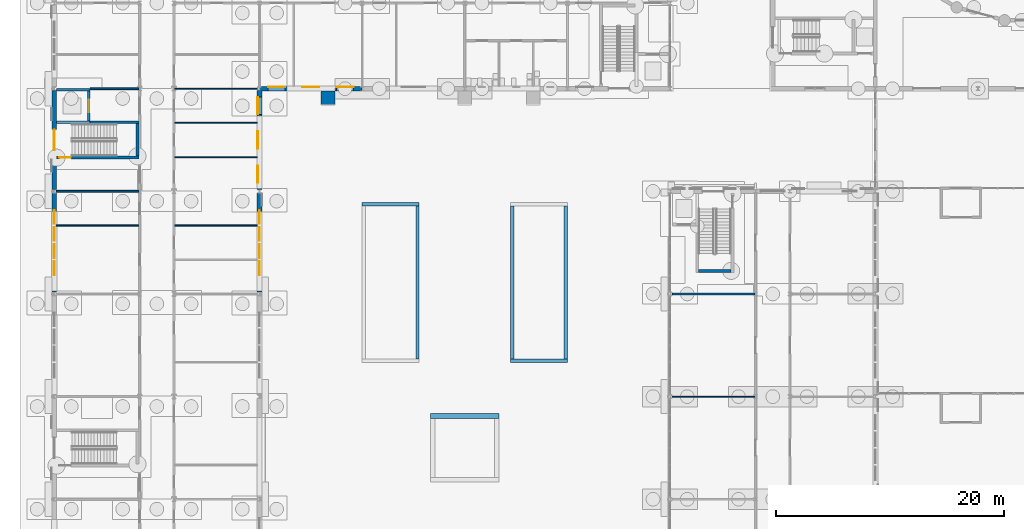
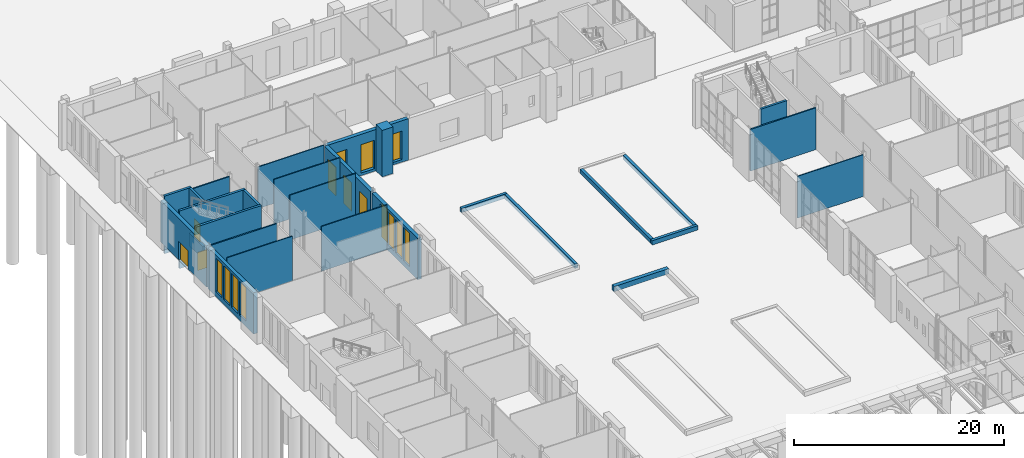
# One storey, part 92 of 168: 30 walls, 14 windows, 3 doors, 17 openings.
"""IFC4 building model written with IfcOpenShell, lengths in metres."""

from ifc_helpers import new_model, si_unit, direction, frame, frame_2d, origin, place, context, subcontext, project, spatial, rectangle, extrude, material, layer, layer_set, type_object, element, fill, save


model = new_model("IFC4")

# Units and contexts
model_context = context("Model", 3, precision=1e-05, world=origin(), true_north=direction((0.0, 1.0)))
body_context = subcontext(model_context, "Body", "Model", "MODEL_VIEW")
ifc_project = project(units=[si_unit("LENGTHUNIT", "METRE"), si_unit("AREAUNIT", "SQUARE_METRE"), si_unit("VOLUMEUNIT", "CUBIC_METRE"), si_unit("PLANEANGLEUNIT", "RADIAN"), si_unit("MASSUNIT", "GRAM", prefix="KILO")], contexts=[model_context])

# Site, building, storey
site_placement = place(None, origin())
site = spatial("IfcSite", under=ifc_project, at=site_placement, CompositionType="ELEMENT")
building_placement = place(site_placement, origin())
building = spatial("IfcBuilding", under=site, at=building_placement, Name="Golden Quay Civic Hall", CompositionType="ELEMENT")
storey_placement = place(building_placement, origin())
storey = spatial("IfcBuildingStorey", under=building, at=storey_placement, Name="L00", CompositionType="ELEMENT", Elevation=0.0)

# Wall, openings, windows
ifc_material_1 = material(Name="Brick, dark clay facing", Category="masonry")
ifc_layer_1 = layer(ifc_material_1, 0.39990234375)
ifc_layer_set_1 = layer_set([ifc_layer_1], Name="Brick external wall 400")
wall_type_1 = type_object("IfcWallType", Name="Brick external wall 400", PredefinedType="STANDARD", material=ifc_layer_set_1)
wall_1_placement = place(storey_placement, frame((18.0, 62.85009765625, 0.0), z_axis=(0.0, 0.0, 1.0), x_axis=(0.0, -1.0, 0.0)))
wall_1 = element("IfcWall", 1, at=wall_1_placement, inside=storey, type_object=wall_type_1, Name="Brick external wall 400 L00 1", PredefinedType="STANDARD", context=body_context, shape_type="SweptSolid", body=[
    extrude(rectangle(XDim=8.7001953125, YDim=0.39990234375, at=frame_2d((4.35009765625, 0.0))), origin(), (0.0, 0.0, 1.0), 4.800048828125),
])
opening_1_placement = place(wall_1_placement, frame((6.60009765625, 0.0, 0.300048828125)))
opening_1 = element("IfcOpeningElement", 2, at=opening_1_placement, cuts=wall_1, Name="Opening WN4", PredefinedType="OPENING", context=body_context, shape_type="SweptSolid", body=[
    extrude(rectangle(XDim=1.5, YDim=3.300048828125, at=frame_2d((0.75, 1.64990234375))), frame((0.0, 0.2099609375, 0.0), z_axis=(0.0, -1.0, 0.0), x_axis=(1.0, 0.0, 0.0)), (0.0, 0.0, 1.0), 0.419921875),
])
opening_2_placement = place(wall_1_placement, frame((3.60009765625, 0.0, 0.300048828125)))
opening_2 = element("IfcOpeningElement", 3, at=opening_2_placement, cuts=wall_1, Name="Opening WN4", PredefinedType="OPENING", context=body_context, shape_type="SweptSolid", body=[
    extrude(rectangle(XDim=1.5, YDim=3.300048828125, at=frame_2d((0.75, 1.64990234375))), frame((0.0, 0.2099609375, 0.0), z_axis=(0.0, -1.0, 0.0), x_axis=(1.0, 0.0, 0.0)), (0.0, 0.0, 1.0), 0.419921875),
])
opening_3_placement = place(wall_1_placement, frame((0.60009765625, 0.0, 0.300048828125)))
opening_3 = element("IfcOpeningElement", 4, at=opening_3_placement, cuts=wall_1, Name="Opening WN4", PredefinedType="OPENING", context=body_context, shape_type="SweptSolid", body=[
    extrude(rectangle(XDim=1.5, YDim=3.300048828125, at=frame_2d((0.75, 1.64990234375))), frame((0.0, 0.2099609375, 0.0), z_axis=(0.0, -1.0, 0.0), x_axis=(1.0, 0.0, 0.0)), (0.0, 0.0, 1.0), 0.419921875),
])
ifc_material_2 = material(Name="Aluminium frame, double glazed", Category="aluminium")
window_type_1 = type_object("IfcWindowType", Name="Tall ground-floor window 1500 x 3300", PartitioningType="SINGLE_PANEL", PredefinedType="WINDOW", material=ifc_material_2)
window_1_placement = place(opening_1_placement, origin())
window_1 = element("IfcWindow", 5, at=window_1_placement, inside=storey, type_object=window_type_1, Name="Tall ground-floor window 1500 x 3300 L00 1", OverallHeight=3.300048828125, OverallWidth=1.5, PartitioningType="SINGLE_PANEL", PredefinedType="WINDOW", context=body_context, shape_type="SweptSolid", body=[
    extrude(rectangle(XDim=1.5, YDim=3.300048828125, at=frame_2d((0.75, 1.64990234375))), frame((0.0, -0.119873046875, 0.0), z_axis=(0.0, -1.0, 0.0), x_axis=(1.0, 0.0, 0.0)), (0.0, 0.0, 1.0), 0.06005859375),
])
fill(opening_1, window_1)
window_2_placement = place(opening_2_placement, origin())
window_2 = element("IfcWindow", 6, at=window_2_placement, inside=storey, type_object=window_type_1, Name="Tall ground-floor window 1500 x 3300 L00 2", OverallHeight=3.300048828125, OverallWidth=1.5, PartitioningType="SINGLE_PANEL", PredefinedType="WINDOW", context=body_context, shape_type="SweptSolid", body=[
    extrude(rectangle(XDim=1.5, YDim=3.300048828125, at=frame_2d((0.75, 1.64990234375))), frame((0.0, -0.119873046875, 0.0), z_axis=(0.0, -1.0, 0.0), x_axis=(1.0, 0.0, 0.0)), (0.0, 0.0, 1.0), 0.06005859375),
])
fill(opening_2, window_2)
window_3_placement = place(opening_3_placement, origin())
window_3 = element("IfcWindow", 7, at=window_3_placement, inside=storey, type_object=window_type_1, Name="Tall ground-floor window 1500 x 3300 L00 3", OverallHeight=3.300048828125, OverallWidth=1.5, PartitioningType="SINGLE_PANEL", PredefinedType="WINDOW", context=body_context, shape_type="SweptSolid", body=[
    extrude(rectangle(XDim=1.5, YDim=3.300048828125, at=frame_2d((0.75, 1.64990234375))), frame((0.0, -0.119873046875, 0.0), z_axis=(0.0, -1.0, 0.0), x_axis=(1.0, 0.0, 0.0)), (0.0, 0.0, 1.0), 0.06005859375),
])
fill(opening_3, window_3)

wall_2_placement = place(storey_placement, frame((26.989501953125, 63.0, 0.0), z_axis=(0.0, 0.0, 1.0), x_axis=(-1.0, 0.0, 0.0)))
wall_2 = element("IfcWall", 8, at=wall_2_placement, inside=storey, type_object=wall_type_1, Name="Brick external wall 400 L00 8", PredefinedType="STANDARD", context=body_context, shape_type="SweptSolid", body=[
    extrude(rectangle(XDim=8.97900390625, YDim=0.39990234375, at=frame_2d((4.489501953125, 0.0))), origin(), (0.0, 0.0, 1.0), 4.800048828125),
])
opening_4_placement = place(wall_2_placement, frame((6.739501953125, 0.0, 0.300048828125)))
opening_4 = element("IfcOpeningElement", 9, at=opening_4_placement, cuts=wall_2, Name="Opening WN4", PredefinedType="OPENING", context=body_context, shape_type="SweptSolid", body=[
    extrude(rectangle(XDim=1.5, YDim=3.300048828125, at=frame_2d((0.75, 1.64990234375))), frame((0.0, 0.2099609375, 0.0), z_axis=(0.0, -1.0, 0.0), x_axis=(1.0, 0.0, 0.0)), (0.0, 0.0, 1.0), 0.419921875),
])
opening_5_placement = place(wall_2_placement, frame((3.739501953125, 0.0, 0.300048828125)))
opening_5 = element("IfcOpeningElement", 10, at=opening_5_placement, cuts=wall_2, Name="Opening WN4", PredefinedType="OPENING", context=body_context, shape_type="SweptSolid", body=[
    extrude(rectangle(XDim=1.5, YDim=3.300048828125, at=frame_2d((0.75, 1.64990234375))), frame((0.0, 0.2099609375, 0.0), z_axis=(0.0, -1.0, 0.0), x_axis=(1.0, 0.0, 0.0)), (0.0, 0.0, 1.0), 0.419921875),
])
opening_6_placement = place(wall_2_placement, frame((0.739501953125, 0.0, 0.300048828125)))
opening_6 = element("IfcOpeningElement", 11, at=opening_6_placement, cuts=wall_2, Name="Opening WN4", PredefinedType="OPENING", context=body_context, shape_type="SweptSolid", body=[
    extrude(rectangle(XDim=1.5, YDim=3.300048828125, at=frame_2d((0.75, 1.64990234375))), frame((0.0, 0.2099609375, 0.0), z_axis=(0.0, -1.0, 0.0), x_axis=(1.0, 0.0, 0.0)), (0.0, 0.0, 1.0), 0.419921875),
])
window_4_placement = place(opening_4_placement, origin())
window_4 = element("IfcWindow", 12, at=window_4_placement, inside=storey, type_object=window_type_1, Name="Tall ground-floor window 1500 x 3300 L00 15", OverallHeight=3.300048828125, OverallWidth=1.5, PartitioningType="SINGLE_PANEL", PredefinedType="WINDOW", context=body_context, shape_type="SweptSolid", body=[
    extrude(rectangle(XDim=1.5, YDim=3.300048828125, at=frame_2d((0.75, 1.64990234375))), frame((0.0, -0.119873046875, 0.0), z_axis=(0.0, -1.0, 0.0), x_axis=(1.0, 0.0, 0.0)), (0.0, 0.0, 1.0), 0.06005859375),
])
fill(opening_4, window_4)
window_5_placement = place(opening_5_placement, origin())
window_5 = element("IfcWindow", 13, at=window_5_placement, inside=storey, type_object=window_type_1, Name="Tall ground-floor window 1500 x 3300 L00 16", OverallHeight=3.300048828125, OverallWidth=1.5, PartitioningType="SINGLE_PANEL", PredefinedType="WINDOW", context=body_context, shape_type="SweptSolid", body=[
    extrude(rectangle(XDim=1.5, YDim=3.300048828125, at=frame_2d((0.75, 1.64990234375))), frame((0.0, -0.119873046875, 0.0), z_axis=(0.0, -1.0, 0.0), x_axis=(1.0, 0.0, 0.0)), (0.0, 0.0, 1.0), 0.06005859375),
])
fill(opening_5, window_5)
window_6_placement = place(opening_6_placement, origin())
window_6 = element("IfcWindow", 14, at=window_6_placement, inside=storey, type_object=window_type_1, Name="Tall ground-floor window 1500 x 3300 L00 17", OverallHeight=3.300048828125, OverallWidth=1.5, PartitioningType="SINGLE_PANEL", PredefinedType="WINDOW", context=body_context, shape_type="SweptSolid", body=[
    extrude(rectangle(XDim=1.5, YDim=3.300048828125, at=frame_2d((0.75, 1.64990234375))), frame((0.0, -0.119873046875, 0.0), z_axis=(0.0, -1.0, 0.0), x_axis=(1.0, 0.0, 0.0)), (0.0, 0.0, 1.0), 0.06005859375),
])
fill(opening_6, window_6)

# Walls
ifc_material_3 = material(Name="Brick, dark clay facing", Category="masonry")
ifc_layer_2 = layer(ifc_material_3, 1.199951171875)
ifc_layer_set_2 = layer_set([ifc_layer_2], Name="Brick pilaster 1200 x 1200")
wall_type_2 = type_object("IfcWallType", Name="Brick pilaster 1200 x 1200", PredefinedType="STANDARD", material=ifc_layer_set_2)
wall_3_placement = place(storey_placement, frame((23.39990234375, 62.199951171875, 0.0), z_axis=(0.0, 0.0, 1.0), x_axis=(1.0, 0.0, 0.0)))
element("IfcWall", 15, at=wall_3_placement, inside=storey, type_object=wall_type_2, Name="Brick pilaster 1200 x 1200 L00 6", PredefinedType="STANDARD", context=body_context, shape_type="SweptSolid", body=[
    extrude(rectangle(XDim=1.2001953125, YDim=1.199951171875, at=frame_2d((0.60009765625, 0.0))), origin(), (0.0, 0.0, 1.0), 5.39990234375),
])
ifc_material_4 = material(Name="Brick, dark clay facing", Category="masonry")
ifc_layer_3 = layer(ifc_material_4, 0.300048828125)
ifc_layer_set_3 = layer_set([ifc_layer_3], Name="Brick planter wall 300")
wall_type_3 = type_object("IfcWallType", Name="Brick planter wall 300", PredefinedType="STANDARD", material=ifc_layer_set_3)
wall_4_placement = place(storey_placement, frame((27.0, 52.85009765625, 0.0), z_axis=(0.0, 0.0, 1.0), x_axis=(1.0, 0.0, 0.0)))
element("IfcWall", 16, at=wall_4_placement, inside=storey, type_object=wall_type_3, Name="Court planter West Court 2", PredefinedType="STANDARD", context=body_context, shape_type="SweptSolid", body=[
    extrude(rectangle(XDim=5.0, YDim=0.300048828125, at=frame_2d((2.5, 0.0))), origin(), (0.0, 0.0, 1.0), 0.5),
])
wall_5_placement = place(storey_placement, frame((31.85009765625, 39.300048828125, 0.0), z_axis=(0.0, 0.0, 1.0), x_axis=(0.0, 1.0, 0.0)))
element("IfcWall", 17, at=wall_5_placement, inside=storey, type_object=wall_type_3, Name="Court planter West Court 2", PredefinedType="STANDARD", context=body_context, shape_type="SweptSolid", body=[
    extrude(rectangle(XDim=13.39990234375, YDim=0.300048828125, at=frame_2d((6.699951171875, 0.0))), origin(), (0.0, 0.0, 1.0), 0.5),
])
wall_6_placement = place(storey_placement, frame((40.0, 39.14990234375, 0.0), z_axis=(0.0, 0.0, 1.0), x_axis=(1.0, 0.0, 0.0)))
element("IfcWall", 18, at=wall_6_placement, inside=storey, type_object=wall_type_3, Name="Court planter West Court 4", PredefinedType="STANDARD", context=body_context, shape_type="SweptSolid", body=[
    extrude(rectangle(XDim=5.0, YDim=0.300048828125, at=frame_2d((2.5, 0.0))), origin(), (0.0, 0.0, 1.0), 0.5),
])
for number, where, z_axis, x_axis, name in (
    (19, (40.14990234375, 39.300048828125, 0.0), (0.0, 0.0, 1.0), (0.0, 1.0, 0.0), "Court planter West Court 4"),
    (20, (44.85009765625, 39.300048828125, 0.0), (0.0, 0.0, 1.0), (0.0, 1.0, 0.0), "Court planter West Court 4"),
):
    element("IfcWall", number, at=place(storey_placement, frame(where, z_axis=z_axis, x_axis=x_axis)), inside=storey, type_object=wall_type_3, Name=name, PredefinedType="STANDARD", context=body_context, shape_type="SweptSolid", body=[
        extrude(rectangle(XDim=13.39990234375, YDim=0.300048828125, at=frame_2d((6.699951171875, 0.0))), origin(), (0.0, 0.0, 1.0), 0.5),
    ])

# Wall, opening, door
ifc_material_5 = material(Name="Concrete C40/50", Category="concrete")
ifc_layer_4 = layer(ifc_material_5, 0.25)
ifc_layer_set_4 = layer_set([ifc_layer_4], Name="Concrete core wall 250, Concrete C40/50")
wall_type_4 = type_object("IfcWallType", Name="Concrete core wall 250", PredefinedType="SHEAR", material=ifc_layer_set_4)
wall_7_placement = place(storey_placement, frame((0.199951171875, 56.949951171875, 0.0), z_axis=(0.0, 0.0, 1.0), x_axis=(1.0, 0.0, 0.0)))
wall_7 = element("IfcWall", 21, at=wall_7_placement, inside=storey, type_object=wall_type_4, Name="Core wall WO-N-W1", PredefinedType="SHEAR", context=body_context, shape_type="SweptSolid", body=[
    extrude(rectangle(XDim=7.22509765625, YDim=0.25, at=frame_2d((3.612548828125, 0.0))), origin(), (0.0, 0.0, 1.0), 5.199951171875),
])
opening_7_placement = place(wall_7_placement, frame((0.25, 0.0, 0.0)))
opening_7 = element("IfcOpeningElement", 22, at=opening_7_placement, cuts=wall_7, Name="Opening L00-D075", PredefinedType="OPENING", context=body_context, shape_type="SweptSolid", body=[
    extrude(rectangle(XDim=1.0, YDim=2.10009765625, at=frame_2d((0.5, 1.050048828125))), frame((0.0, 0.135009765625, 0.0), z_axis=(0.0, -1.0, 0.0), x_axis=(1.0, 0.0, 0.0)), (0.0, 0.0, 1.0), 0.27001953125),
])
ifc_material_6 = material(Name="Steel", Category="steel")
door_type_1 = type_object("IfcDoorType", Name="Steel fire door FD60 1000 x 2100", OperationType="SINGLE_SWING_LEFT", PredefinedType="DOOR", material=ifc_material_6)
door_1_placement = place(opening_7_placement, origin())
door_1 = element("IfcDoor", 23, at=door_1_placement, inside=storey, type_object=door_type_1, Name="Door L00-D075", OperationType="SINGLE_SWING_LEFT", OverallHeight=2.10009765625, OverallWidth=1.0, PredefinedType="DOOR", context=body_context, shape_type="SweptSolid", body=[
    extrude(rectangle(XDim=1.0, YDim=2.10009765625, at=frame_2d((0.5, 1.050048828125))), frame((0.0, 0.02490234375, 0.0), z_axis=(0.0, -1.0, 0.0), x_axis=(1.0, 0.0, 0.0)), (0.0, 0.0, 1.0), 0.050048828125),
])
fill(opening_7, door_1)

# Walls
wall_8_placement = place(storey_placement, frame((0.199951171875, 60.050048828125, 0.0), z_axis=(0.0, 0.0, 1.0), x_axis=(1.0, 0.0, 0.0)))
element("IfcWall", 24, at=wall_8_placement, inside=storey, type_object=wall_type_4, Name="Core wall WO-N-W2", PredefinedType="SHEAR", context=body_context, shape_type="SweptSolid", body=[
    extrude(rectangle(XDim=7.22509765625, YDim=0.25, at=frame_2d((3.612548828125, 0.0))), origin(), (0.0, 0.0, 1.0), 5.199951171875),
])
wall_9_placement = place(storey_placement, frame((7.300048828125, 57.074951171875, 0.0), z_axis=(0.0, 0.0, 1.0), x_axis=(0.0, 1.0, 0.0)))
element("IfcWall", 25, at=wall_9_placement, inside=storey, type_object=wall_type_4, Name="Core wall WO-N-W3", PredefinedType="SHEAR", context=body_context, shape_type="SweptSolid", body=[
    extrude(rectangle(XDim=2.85009765625, YDim=0.25, at=frame_2d((1.425048828125, 0.0))), origin(), (0.0, 0.0, 1.0), 5.199951171875),
])

# Wall, opening, door
wall_10_placement = place(storey_placement, frame((3.02490234375, 60.175048828125, 0.0), z_axis=(0.0, 0.0, 1.0), x_axis=(0.0, 1.0, 0.0)))
wall_10 = element("IfcWall", 26, at=wall_10_placement, inside=storey, type_object=wall_type_4, Name="Core wall WO-N-W4", PredefinedType="SHEAR", context=body_context, shape_type="SweptSolid", body=[
    extrude(rectangle(XDim=2.599853515625, YDim=0.25, at=frame_2d((1.2998046875, 0.0))), origin(), (0.0, 0.0, 1.0), 5.199951171875),
])
opening_8_placement = place(wall_10_placement, frame((0.75, 0.0, 0.0)))
opening_8 = element("IfcOpeningElement", 27, at=opening_8_placement, cuts=wall_10, Name="Opening L00-D090", PredefinedType="OPENING", context=body_context, shape_type="SweptSolid", body=[
    extrude(rectangle(XDim=1.10009765625, YDim=2.10009765625, at=frame_2d((0.550048828125, 1.050048828125))), frame((0.0, 0.135009765625, 0.0), z_axis=(0.0, -1.0, 0.0), x_axis=(1.0, 0.0, 0.0)), (0.0, 0.0, 1.0), 0.27001953125),
])
ifc_material_7 = material(Name="Steel", Category="steel")
door_type_2 = type_object("IfcDoorType", Name="Lift landing door 1100 x 2100", OperationType="SLIDING_TO_LEFT", PredefinedType="DOOR", material=ifc_material_7)
door_2_placement = place(opening_8_placement, origin())
door_2 = element("IfcDoor", 28, at=door_2_placement, inside=storey, type_object=door_type_2, Name="Lift landing door L00-D090 WO-N", OperationType="SLIDING_TO_LEFT", OverallHeight=2.10009765625, OverallWidth=1.10009765625, PredefinedType="DOOR", context=body_context, shape_type="SweptSolid", body=[
    extrude(rectangle(XDim=1.10009765625, YDim=2.10009765625, at=frame_2d((0.550048828125, 1.050048828125))), frame((0.0, 0.02490234375, 0.0), z_axis=(0.0, -1.0, 0.0), x_axis=(1.0, 0.0, 0.0)), (0.0, 0.0, 1.0), 0.050048828125),
])
fill(opening_8, door_2)

# Walls
wall_11_placement = place(storey_placement, frame((0.199951171875, 62.89990234375, 0.0), z_axis=(0.0, 0.0, 1.0), x_axis=(1.0, 0.0, 0.0)))
element("IfcWall", 29, at=wall_11_placement, inside=storey, type_object=wall_type_4, Name="Core wall WO-N-W5", PredefinedType="SHEAR", context=body_context, shape_type="SweptSolid", body=[
    extrude(rectangle(XDim=2.949951171875, YDim=0.25, at=frame_2d((1.47509765625, 0.0))), origin(), (0.0, 0.0, 1.0), 5.199951171875),
])
wall_12_placement = place(storey_placement, frame((0.199951171875, 60.050048828125, -1.5), z_axis=(0.0, 0.0, 1.0), x_axis=(1.0, 0.0, 0.0)))
element("IfcWall", 30, at=wall_12_placement, inside=storey, type_object=wall_type_4, Name="Lift pit wall P1", PredefinedType="SHEAR", context=body_context, shape_type="SweptSolid", body=[
    extrude(rectangle(XDim=2.949951171875, YDim=0.25, at=frame_2d((1.47509765625, 0.0))), origin(), (0.0, 0.0, 1.0), 1.5),
])
wall_13_placement = place(storey_placement, frame((3.02490234375, 60.175048828125, -1.5), z_axis=(0.0, 0.0, 1.0), x_axis=(0.0, 1.0, 0.0)))
element("IfcWall", 31, at=wall_13_placement, inside=storey, type_object=wall_type_4, Name="Lift pit wall P2", PredefinedType="SHEAR", context=body_context, shape_type="SweptSolid", body=[
    extrude(rectangle(XDim=2.599853515625, YDim=0.25, at=frame_2d((1.2998046875, 0.0))), origin(), (0.0, 0.0, 1.0), 1.5),
])
wall_14_placement = place(storey_placement, frame((0.199951171875, 62.89990234375, -1.5), z_axis=(0.0, 0.0, 1.0), x_axis=(1.0, 0.0, 0.0)))
element("IfcWall", 32, at=wall_14_placement, inside=storey, type_object=wall_type_4, Name="Lift pit wall P3", PredefinedType="SHEAR", context=body_context, shape_type="SweptSolid", body=[
    extrude(rectangle(XDim=2.949951171875, YDim=0.25, at=frame_2d((1.47509765625, 0.0))), origin(), (0.0, 0.0, 1.0), 1.5),
])
wall_15_placement = place(storey_placement, frame((56.5, 47.02490234375, 0.0), z_axis=(0.0, 0.0, 1.0), x_axis=(1.0, 0.0, 0.0)))
element("IfcWall", 33, at=wall_15_placement, inside=storey, type_object=wall_type_4, Name="Core wall WM-N-W3", PredefinedType="SHEAR", context=body_context, shape_type="SweptSolid", body=[
    extrude(rectangle(XDim=2.85009765625, YDim=0.25, at=frame_2d((1.425048828125, 0.0))), origin(), (0.0, 0.0, 1.0), 5.199951171875),
])
ifc_material_8 = material(Name="Plasterboard on steel studs", Category="steel")
ifc_layer_5 = layer(ifc_material_8, 0.10009765625)
ifc_layer_set_5 = layer_set([ifc_layer_5], Name="Partition 100 stud")
wall_type_5 = type_object("IfcWallType", Name="Partition 100 stud", PredefinedType="PARTITIONING", material=ifc_layer_set_5)
for number, where, z_axis, x_axis, name in (
    (34, (0.199951171875, 51.0, 0.0), (0.0, 0.0, 1.0), (1.0, 0.0, 0.0), "Partition L00-008"),
    (35, (10.574951171875, 51.0, 0.0), (0.0, 0.0, 1.0), (1.0, 0.0, 0.0), "Partition L00-020"),
    (36, (10.574951171875, 57.0, 0.0), (0.0, 0.0, 1.0), (1.0, 0.0, 0.0), "Partition L00-021"),
    (37, (10.574951171875, 60.0, 0.0), (0.0, 0.0, 1.0), (1.0, 0.0, 0.0), "Partition L00-022"),
):
    element("IfcWall", number, at=place(storey_placement, frame(where, z_axis=z_axis, x_axis=x_axis)), inside=storey, type_object=wall_type_5, Name=name, PredefinedType="PARTITIONING", context=body_context, shape_type="SweptSolid", body=[
        extrude(rectangle(XDim=7.22509765625, YDim=0.10009765625, at=frame_2d((3.612548828125, 0.0))), origin(), (0.0, 0.0, 1.0), 5.199951171875),
    ])
for number, where, z_axis, x_axis, name in (
    (38, (10.574951171875, 63.0, 0.0), (0.0, 0.0, 1.0), (1.0, 0.0, 0.0), "Partition L00-023"),
    (39, (54.199951171875, 36.0, 0.0), (0.0, 0.0, 1.0), (1.0, 0.0, 0.0), "Partition L00-002"),
):
    element("IfcWall", number, at=place(storey_placement, frame(where, z_axis=z_axis, x_axis=x_axis)), inside=storey, type_object=wall_type_5, Name=name, PredefinedType="PARTITIONING", context=body_context, shape_type="SweptSolid", body=[
        extrude(rectangle(XDim=7.22509765625, YDim=0.10009765625, at=frame_2d((3.612548828125, 0.0))), origin(), (0.0, 0.0, 1.0), 4.85009765625),
    ])
ifc_material_9 = material(Name="Plasterboard on steel studs", Category="steel")
ifc_layer_6 = layer(ifc_material_9, 0.14990234375)
ifc_layer_set_6 = layer_set([ifc_layer_6], Name="Partition 150 stud fire EI 60")
wall_type_6 = type_object("IfcWallType", Name="Partition 150 stud fire EI 60", PredefinedType="PARTITIONING", material=ifc_layer_set_6)
wall_16_placement = place(storey_placement, frame((0.199951171875, 54.0, 0.0), z_axis=(0.0, 0.0, 1.0), x_axis=(1.0, 0.0, 0.0)))
element("IfcWall", 40, at=wall_16_placement, inside=storey, type_object=wall_type_6, Name="Partition L00-009", PredefinedType="PARTITIONING", context=body_context, shape_type="SweptSolid", body=[
    extrude(rectangle(XDim=7.22509765625, YDim=0.14990234375, at=frame_2d((3.612548828125, 0.0))), origin(), (0.0, 0.0, 1.0), 4.85009765625),
])
wall_17_placement = place(storey_placement, frame((3.14990234375, 63.0, 0.0), z_axis=(0.0, 0.0, 1.0), x_axis=(1.0, 0.0, 0.0)))
element("IfcWall", 41, at=wall_17_placement, inside=storey, type_object=wall_type_6, Name="Partition L00-029", PredefinedType="PARTITIONING", context=body_context, shape_type="SweptSolid", body=[
    extrude(rectangle(XDim=4.275146484375, YDim=0.14990234375, at=frame_2d((2.1376953125, 0.0))), origin(), (0.0, 0.0, 1.0), 4.85009765625),
])
wall_18_placement = place(storey_placement, frame((54.199951171875, 45.0, 0.0), z_axis=(0.0, 0.0, 1.0), x_axis=(1.0, 0.0, 0.0)))
element("IfcWall", 42, at=wall_18_placement, inside=storey, type_object=wall_type_6, Name="Partition L00-003", PredefinedType="PARTITIONING", context=body_context, shape_type="SweptSolid", body=[
    extrude(rectangle(XDim=7.22509765625, YDim=0.14990234375, at=frame_2d((3.612548828125, 0.0))), origin(), (0.0, 0.0, 1.0), 4.85009765625),
])

# Wall, openings, windows
ifc_material_10 = material(Name="Clay block, rendered, cream")
ifc_layer_7 = layer(ifc_material_10, 0.39990234375)
ifc_layer_set_7 = layer_set([ifc_layer_7], Name="Rendered block external wall 400")
wall_type_7 = type_object("IfcWallType", Name="Rendered block external wall 400", PredefinedType="STANDARD", material=ifc_layer_set_7)
wall_19_placement = place(storey_placement, frame((0.0, 45.14990234375, 0.0), z_axis=(0.0, 0.0, 1.0), x_axis=(0.0, 1.0, 0.0)))
wall_19 = element("IfcWall", 43, at=wall_19_placement, inside=storey, type_object=wall_type_7, Name="Rendered block external wall 400 L00 5", PredefinedType="STANDARD", context=body_context, shape_type="SweptSolid", body=[
    extrude(rectangle(XDim=8.7001953125, YDim=0.39990234375, at=frame_2d((4.35009765625, 0.0))), origin(), (0.0, 0.0, 1.0), 4.800048828125),
])
opening_9_placement = place(wall_19_placement, frame((1.5, 0.0, 0.60009765625)))
opening_9 = element("IfcOpeningElement", 44, at=opening_9_placement, cuts=wall_19, Name="Opening WN3", PredefinedType="OPENING", context=body_context, shape_type="SweptSolid", body=[
    extrude(rectangle(XDim=1.199951171875, YDim=3.89990234375, at=frame_2d((0.60009765625, 1.949951171875))), frame((0.0, 0.2099609375, 0.0), z_axis=(0.0, -1.0, 0.0), x_axis=(1.0, 0.0, 0.0)), (0.0, 0.0, 1.0), 0.419921875),
])
opening_10_placement = place(wall_19_placement, frame((3.0, 0.0, 0.60009765625)))
opening_10 = element("IfcOpeningElement", 45, at=opening_10_placement, cuts=wall_19, Name="Opening WN3", PredefinedType="OPENING", context=body_context, shape_type="SweptSolid", body=[
    extrude(rectangle(XDim=1.199951171875, YDim=3.89990234375, at=frame_2d((0.60009765625, 1.949951171875))), frame((0.0, 0.2099609375, 0.0), z_axis=(0.0, -1.0, 0.0), x_axis=(1.0, 0.0, 0.0)), (0.0, 0.0, 1.0), 0.419921875),
])
opening_11_placement = place(wall_19_placement, frame((4.5, 0.0, 0.60009765625)))
opening_11 = element("IfcOpeningElement", 46, at=opening_11_placement, cuts=wall_19, Name="Opening WN3", PredefinedType="OPENING", context=body_context, shape_type="SweptSolid", body=[
    extrude(rectangle(XDim=1.199951171875, YDim=3.89990234375, at=frame_2d((0.60009765625, 1.949951171875))), frame((0.0, 0.2099609375, 0.0), z_axis=(0.0, -1.0, 0.0), x_axis=(1.0, 0.0, 0.0)), (0.0, 0.0, 1.0), 0.419921875),
])
opening_12_placement = place(wall_19_placement, frame((6.0, 0.0, 0.60009765625)))
opening_12 = element("IfcOpeningElement", 47, at=opening_12_placement, cuts=wall_19, Name="Opening WN3", PredefinedType="OPENING", context=body_context, shape_type="SweptSolid", body=[
    extrude(rectangle(XDim=1.199951171875, YDim=3.89990234375, at=frame_2d((0.60009765625, 1.949951171875))), frame((0.0, 0.2099609375, 0.0), z_axis=(0.0, -1.0, 0.0), x_axis=(1.0, 0.0, 0.0)), (0.0, 0.0, 1.0), 0.419921875),
])
ifc_material_11 = material(Name="Aluminium frame, double glazed", Category="aluminium")
window_type_2 = type_object("IfcWindowType", Name="Golden grid window 1200 x 3900", PartitioningType="SINGLE_PANEL", PredefinedType="WINDOW", material=ifc_material_11)
window_7_placement = place(opening_9_placement, origin())
window_7 = element("IfcWindow", 48, at=window_7_placement, inside=storey, type_object=window_type_2, Name="Golden grid window 1200 x 3900 L00 5", OverallHeight=3.89990234375, OverallWidth=1.199951171875, PartitioningType="SINGLE_PANEL", PredefinedType="WINDOW", context=body_context, shape_type="SweptSolid", body=[
    extrude(rectangle(XDim=1.199951171875, YDim=3.89990234375, at=frame_2d((0.60009765625, 1.949951171875))), frame((0.0, 0.030029296875, 0.0), z_axis=(0.0, -1.0, 0.0), x_axis=(1.0, 0.0, 0.0)), (0.0, 0.0, 1.0), 0.06005859375),
])
fill(opening_9, window_7)
window_8_placement = place(opening_10_placement, origin())
window_8 = element("IfcWindow", 49, at=window_8_placement, inside=storey, type_object=window_type_2, Name="Golden grid window 1200 x 3900 L00 6", OverallHeight=3.89990234375, OverallWidth=1.199951171875, PartitioningType="SINGLE_PANEL", PredefinedType="WINDOW", context=body_context, shape_type="SweptSolid", body=[
    extrude(rectangle(XDim=1.199951171875, YDim=3.89990234375, at=frame_2d((0.60009765625, 1.949951171875))), frame((0.0, 0.030029296875, 0.0), z_axis=(0.0, -1.0, 0.0), x_axis=(1.0, 0.0, 0.0)), (0.0, 0.0, 1.0), 0.06005859375),
])
fill(opening_10, window_8)
window_9_placement = place(opening_11_placement, origin())
window_9 = element("IfcWindow", 50, at=window_9_placement, inside=storey, type_object=window_type_2, Name="Golden grid window 1200 x 3900 L00 7", OverallHeight=3.89990234375, OverallWidth=1.199951171875, PartitioningType="SINGLE_PANEL", PredefinedType="WINDOW", context=body_context, shape_type="SweptSolid", body=[
    extrude(rectangle(XDim=1.199951171875, YDim=3.89990234375, at=frame_2d((0.60009765625, 1.949951171875))), frame((0.0, 0.030029296875, 0.0), z_axis=(0.0, -1.0, 0.0), x_axis=(1.0, 0.0, 0.0)), (0.0, 0.0, 1.0), 0.06005859375),
])
fill(opening_11, window_9)
window_10_placement = place(opening_12_placement, origin())
window_10 = element("IfcWindow", 51, at=window_10_placement, inside=storey, type_object=window_type_2, Name="Golden grid window 1200 x 3900 L00 8", OverallHeight=3.89990234375, OverallWidth=1.199951171875, PartitioningType="SINGLE_PANEL", PredefinedType="WINDOW", context=body_context, shape_type="SweptSolid", body=[
    extrude(rectangle(XDim=1.199951171875, YDim=3.89990234375, at=frame_2d((0.60009765625, 1.949951171875))), frame((0.0, 0.030029296875, 0.0), z_axis=(0.0, -1.0, 0.0), x_axis=(1.0, 0.0, 0.0)), (0.0, 0.0, 1.0), 0.06005859375),
])
fill(opening_12, window_10)

wall_20_placement = place(storey_placement, frame((18.0, 53.85009765625, 0.0), z_axis=(0.0, 0.0, 1.0), x_axis=(0.0, -1.0, 0.0)))
wall_20 = element("IfcWall", 52, at=wall_20_placement, inside=storey, type_object=wall_type_7, Name="Rendered block external wall 400 L00 18", PredefinedType="STANDARD", context=body_context, shape_type="SweptSolid", body=[
    extrude(rectangle(XDim=8.7001953125, YDim=0.39990234375, at=frame_2d((4.35009765625, 0.0))), origin(), (0.0, 0.0, 1.0), 4.800048828125),
])
opening_13_placement = place(wall_20_placement, frame((6.0, 0.0, 0.60009765625)))
opening_13 = element("IfcOpeningElement", 53, at=opening_13_placement, cuts=wall_20, Name="Opening WN3", PredefinedType="OPENING", context=body_context, shape_type="SweptSolid", body=[
    extrude(rectangle(XDim=1.199951171875, YDim=3.89990234375, at=frame_2d((0.60009765625, 1.949951171875))), frame((0.0, 0.2099609375, 0.0), z_axis=(0.0, -1.0, 0.0), x_axis=(1.0, 0.0, 0.0)), (0.0, 0.0, 1.0), 0.419921875),
])
opening_14_placement = place(wall_20_placement, frame((4.5, 0.0, 0.60009765625)))
opening_14 = element("IfcOpeningElement", 54, at=opening_14_placement, cuts=wall_20, Name="Opening WN3", PredefinedType="OPENING", context=body_context, shape_type="SweptSolid", body=[
    extrude(rectangle(XDim=1.199951171875, YDim=3.89990234375, at=frame_2d((0.60009765625, 1.949951171875))), frame((0.0, 0.2099609375, 0.0), z_axis=(0.0, -1.0, 0.0), x_axis=(1.0, 0.0, 0.0)), (0.0, 0.0, 1.0), 0.419921875),
])
opening_15_placement = place(wall_20_placement, frame((3.0, 0.0, 0.60009765625)))
opening_15 = element("IfcOpeningElement", 55, at=opening_15_placement, cuts=wall_20, Name="Opening WN3", PredefinedType="OPENING", context=body_context, shape_type="SweptSolid", body=[
    extrude(rectangle(XDim=1.199951171875, YDim=3.89990234375, at=frame_2d((0.60009765625, 1.949951171875))), frame((0.0, 0.2099609375, 0.0), z_axis=(0.0, -1.0, 0.0), x_axis=(1.0, 0.0, 0.0)), (0.0, 0.0, 1.0), 0.419921875),
])
opening_16_placement = place(wall_20_placement, frame((1.5, 0.0, 0.60009765625)))
opening_16 = element("IfcOpeningElement", 56, at=opening_16_placement, cuts=wall_20, Name="Opening WN3", PredefinedType="OPENING", context=body_context, shape_type="SweptSolid", body=[
    extrude(rectangle(XDim=1.199951171875, YDim=3.89990234375, at=frame_2d((0.60009765625, 1.949951171875))), frame((0.0, 0.2099609375, 0.0), z_axis=(0.0, -1.0, 0.0), x_axis=(1.0, 0.0, 0.0)), (0.0, 0.0, 1.0), 0.419921875),
])
window_11_placement = place(opening_13_placement, origin())
window_11 = element("IfcWindow", 57, at=window_11_placement, inside=storey, type_object=window_type_2, Name="Golden grid window 1200 x 3900 L00 37", OverallHeight=3.89990234375, OverallWidth=1.199951171875, PartitioningType="SINGLE_PANEL", PredefinedType="WINDOW", context=body_context, shape_type="SweptSolid", body=[
    extrude(rectangle(XDim=1.199951171875, YDim=3.89990234375, at=frame_2d((0.60009765625, 1.949951171875))), frame((0.0, 0.030029296875, 0.0), z_axis=(0.0, -1.0, 0.0), x_axis=(1.0, 0.0, 0.0)), (0.0, 0.0, 1.0), 0.06005859375),
])
fill(opening_13, window_11)
window_12_placement = place(opening_14_placement, origin())
window_12 = element("IfcWindow", 58, at=window_12_placement, inside=storey, type_object=window_type_2, Name="Golden grid window 1200 x 3900 L00 38", OverallHeight=3.89990234375, OverallWidth=1.199951171875, PartitioningType="SINGLE_PANEL", PredefinedType="WINDOW", context=body_context, shape_type="SweptSolid", body=[
    extrude(rectangle(XDim=1.199951171875, YDim=3.89990234375, at=frame_2d((0.60009765625, 1.949951171875))), frame((0.0, 0.030029296875, 0.0), z_axis=(0.0, -1.0, 0.0), x_axis=(1.0, 0.0, 0.0)), (0.0, 0.0, 1.0), 0.06005859375),
])
fill(opening_14, window_12)
window_13_placement = place(opening_15_placement, origin())
window_13 = element("IfcWindow", 59, at=window_13_placement, inside=storey, type_object=window_type_2, Name="Golden grid window 1200 x 3900 L00 39", OverallHeight=3.89990234375, OverallWidth=1.199951171875, PartitioningType="SINGLE_PANEL", PredefinedType="WINDOW", context=body_context, shape_type="SweptSolid", body=[
    extrude(rectangle(XDim=1.199951171875, YDim=3.89990234375, at=frame_2d((0.60009765625, 1.949951171875))), frame((0.0, 0.030029296875, 0.0), z_axis=(0.0, -1.0, 0.0), x_axis=(1.0, 0.0, 0.0)), (0.0, 0.0, 1.0), 0.06005859375),
])
fill(opening_15, window_13)
window_14_placement = place(opening_16_placement, origin())
window_14 = element("IfcWindow", 60, at=window_14_placement, inside=storey, type_object=window_type_2, Name="Golden grid window 1200 x 3900 L00 40", OverallHeight=3.89990234375, OverallWidth=1.199951171875, PartitioningType="SINGLE_PANEL", PredefinedType="WINDOW", context=body_context, shape_type="SweptSolid", body=[
    extrude(rectangle(XDim=1.199951171875, YDim=3.89990234375, at=frame_2d((0.60009765625, 1.949951171875))), frame((0.0, 0.030029296875, 0.0), z_axis=(0.0, -1.0, 0.0), x_axis=(1.0, 0.0, 0.0)), (0.0, 0.0, 1.0), 0.06005859375),
])
fill(opening_16, window_14)

# Wall, opening, door
ifc_material_12 = material(Name="Clay block, rendered, cream")
ifc_layer_8 = layer(ifc_material_12, 0.39990234375)
ifc_layer_set_8 = layer_set([ifc_layer_8], Name="Rendered block external wall 400 fire EI 60")
wall_type_8 = type_object("IfcWallType", Name="Rendered block external wall 400 fire EI 60", PredefinedType="STANDARD", material=ifc_layer_set_8)
wall_21_placement = place(storey_placement, frame((0.0, 54.14990234375, 0.0), z_axis=(0.0, 0.0, 1.0), x_axis=(0.0, 1.0, 0.0)))
wall_21 = element("IfcWall", 61, at=wall_21_placement, inside=storey, type_object=wall_type_8, Name="Rendered block external wall 400 fire EI 60 L00 2", PredefinedType="STANDARD", context=body_context, shape_type="SweptSolid", body=[
    extrude(rectangle(XDim=8.7001953125, YDim=0.39990234375, at=frame_2d((4.35009765625, 0.0))), origin(), (0.0, 0.0, 1.0), 4.800048828125),
])
opening_17_placement = place(wall_21_placement, frame((3.449951171875, 0.0, 0.0)))
opening_17 = element("IfcOpeningElement", 62, at=opening_17_placement, cuts=wall_21, Name="Opening L00-D002", PredefinedType="OPENING", context=body_context, shape_type="SweptSolid", body=[
    extrude(rectangle(XDim=1.800048828125, YDim=2.10009765625, at=frame_2d((0.89990234375, 1.050048828125))), frame((0.0, 0.2099609375, 0.0), z_axis=(0.0, -1.0, 0.0), x_axis=(1.0, 0.0, 0.0)), (0.0, 0.0, 1.0), 0.419921875),
])
ifc_material_13 = material(Name="Steel", Category="steel")
door_type_3 = type_object("IfcDoorType", Name="Steel double exit door FD60 1800 x 2100", OperationType="DOUBLE_DOOR_SINGLE_SWING", PredefinedType="DOOR", material=ifc_material_13)
door_3_placement = place(opening_17_placement, origin())
door_3 = element("IfcDoor", 63, at=door_3_placement, inside=storey, type_object=door_type_3, Name="Door L00-D002", OperationType="DOUBLE_DOOR_SINGLE_SWING", OverallHeight=2.10009765625, OverallWidth=1.800048828125, PredefinedType="DOOR", context=body_context, shape_type="SweptSolid", body=[
    extrude(rectangle(XDim=1.800048828125, YDim=2.10009765625, at=frame_2d((0.89990234375, 1.050048828125))), frame((0.0, 0.02490234375, 0.0), z_axis=(0.0, -1.0, 0.0), x_axis=(1.0, 0.0, 0.0)), (0.0, 0.0, 1.0), 0.050048828125),
])
fill(opening_17, door_3)

# Wall
ifc_material_14 = material(Name="Granite", Category="masonry")
ifc_layer_9 = layer(ifc_material_14, 0.39990234375)
ifc_layer_set_9 = layer_set([ifc_layer_9], Name="Stone basin and seat wall 400")
wall_type_9 = type_object("IfcWallType", Name="Stone basin and seat wall 400", PredefinedType="STANDARD", material=ifc_layer_set_9)
wall_22_placement = place(storey_placement, frame((33.0, 34.300048828125, 0.0), z_axis=(0.0, 0.0, 1.0), x_axis=(1.0, 0.0, 0.0)))
element("IfcWall", 64, at=wall_22_placement, inside=storey, type_object=wall_type_9, Name="Fountain basin West Court", PredefinedType="STANDARD", context=body_context, shape_type="SweptSolid", body=[
    extrude(rectangle(XDim=6.0, YDim=0.39990234375, at=frame_2d((3.0, 0.0))), origin(), (0.0, 0.0, 1.0), 0.60009765625),
])

save(model, "model.ifc")
